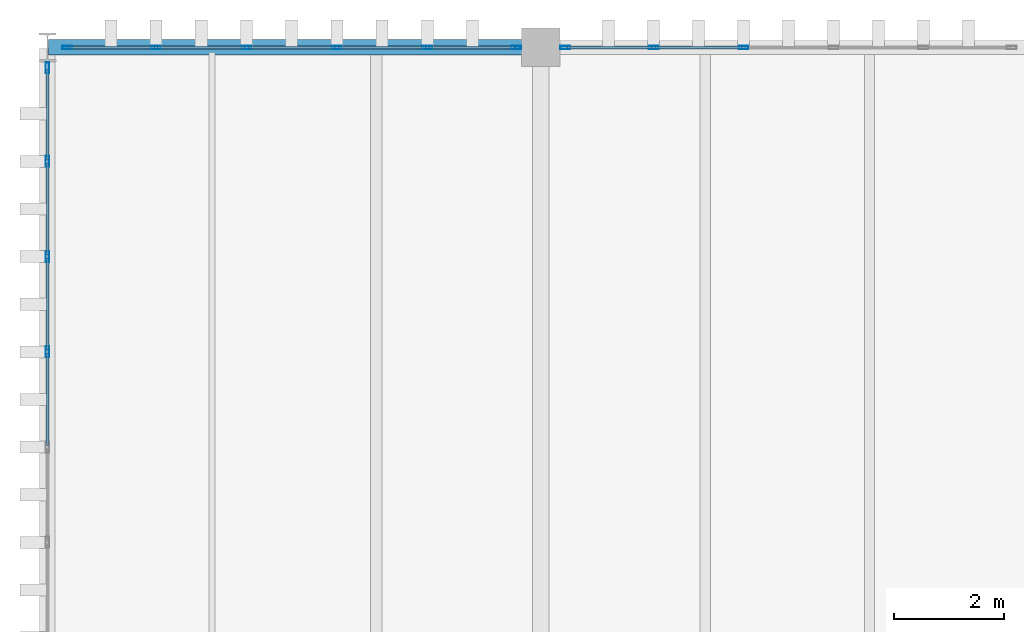
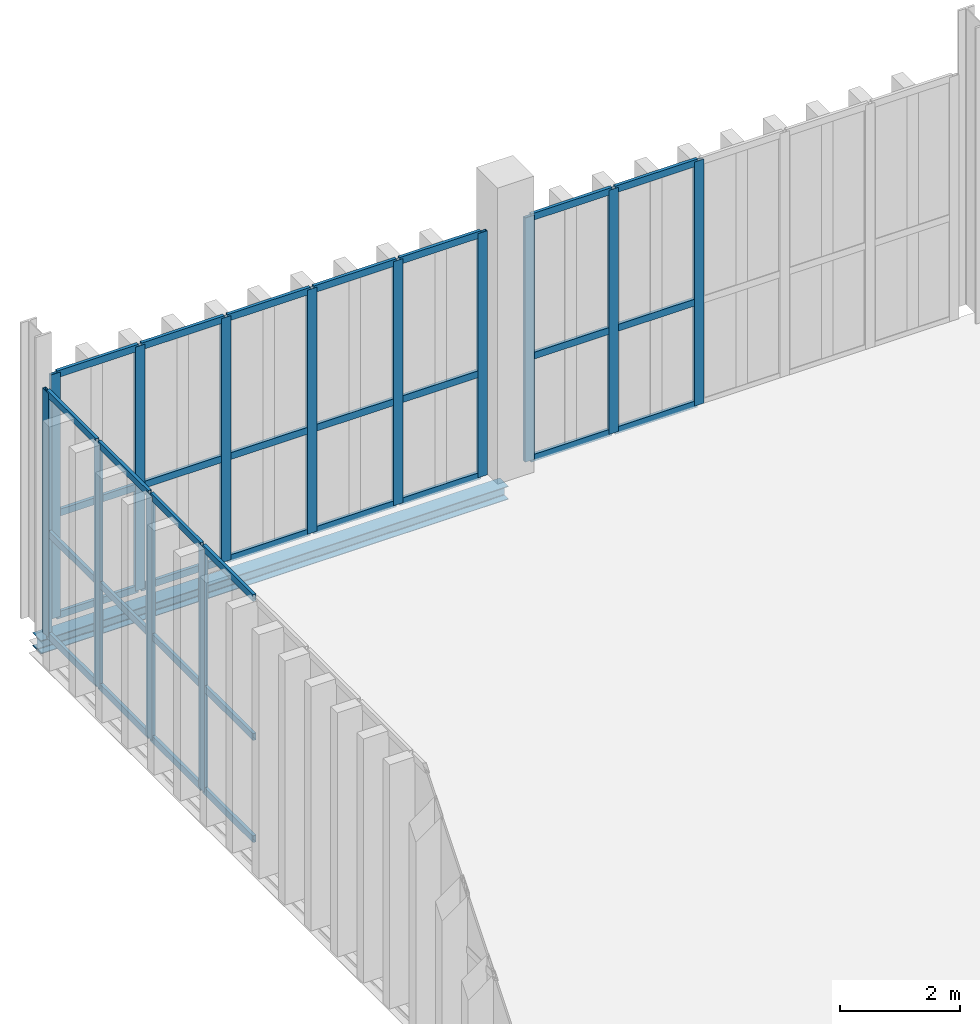
# One storey, part 136 of 211: 46 members, 1 beam, 3 elements without a shape of their own.
"""IFC4 building model written with IfcOpenShell, lengths in metres."""

from ifc_helpers import new_model, si_unit, direction, frame, origin, origin_2d, place, context, subcontext, project, spatial, hollow_rectangle, i_section, extrude, material, layer, layer_set, material_profile, profile_set, type_object, element, aggregate, save


model = new_model("IFC4")

# Units and contexts
model_context = context("Model", 3, precision=1e-05, world=origin(), true_north=direction((0.0, 1.0)))
body_context = subcontext(model_context, "Body", "Model", "MODEL_VIEW")
ifc_project = project(units=[si_unit("LENGTHUNIT", "METRE"), si_unit("AREAUNIT", "SQUARE_METRE"), si_unit("VOLUMEUNIT", "CUBIC_METRE"), si_unit("PLANEANGLEUNIT", "RADIAN"), si_unit("MASSUNIT", "GRAM", prefix="KILO")], contexts=[model_context])

# Site, building, storey
site_placement = place(None, origin())
site = spatial("IfcSite", under=ifc_project, at=site_placement, CompositionType="ELEMENT")
building_placement = place(site_placement, origin())
building = spatial("IfcBuilding", under=site, at=building_placement, Name="Barlavento Convention Centre", CompositionType="ELEMENT")
storey_placement = place(building_placement, frame((0.0, 0.0, 6.0)))
storey = spatial("IfcBuildingStorey", under=building, at=storey_placement, Name="L01", CompositionType="ELEMENT", Elevation=6.0)

# Curtain wall, members
ifc_material_1 = material(Name="Powder-coated aluminium and Low-E glass", Category="aluminium")
ifc_layer = layer(ifc_material_1, 0.179931640625)
ifc_layer_set = layer_set([ifc_layer], Name="ARC-CW-EXH-L01")
curtain_wall_type = type_object("IfcCurtainWallType", Name="ARC-CW-EXH-L01", PredefinedType="NOTDEFINED", material=ifc_layer_set)
curtain_wall_1_placement = place(storey_placement, origin())
curtain_wall_1 = element("IfcCurtainWall", 1, at=curtain_wall_1_placement, inside=storey, type_object=curtain_wall_type, Name="L01 unitised curtain wall CW04", PredefinedType="NOTDEFINED")
ifc_material_2 = material(Name="Powder-coated aluminium", Category="aluminium")
ifc_material_profile_1 = material_profile(ifc_material_2, hollow_rectangle(XDim=0.06005859375, YDim=0.179931640625, WallThickness=0.0048828125, at=origin_2d()), Name="AL-MULL 60x180x5")
ifc_profile_set_1 = profile_set([ifc_material_profile_1], Name="Powder-coated aluminium")
member_type_1 = type_object("IfcMemberType", Name="ARC-CWM-60X180", PredefinedType="MULLION", material=ifc_profile_set_1)
member_1_placement = place(storey_placement, frame((0.362060546875, 135.0, 0.0), z_axis=(0.0, 0.0, 1.0), x_axis=(0.0, 1.0, 0.0)))
member_1 = element("IfcMember", 2, at=member_1_placement, type_object=member_type_1, Name="CW04 mullion 1", PredefinedType="MULLION", context=body_context, shape_type="SweptSolid", body=[
    extrude(hollow_rectangle(XDim=0.06005859375, YDim=0.179931640625, WallThickness=0.0048828125, at=origin_2d()), origin(), (0.0, 0.0, 1.0), 4.949951171875),
])
member_2_placement = place(storey_placement, frame((1.981689453125, 135.0, 0.0), z_axis=(0.0, 0.0, 1.0), x_axis=(0.0, 1.0, 0.0)))
member_2 = element("IfcMember", 3, at=member_2_placement, type_object=member_type_1, Name="CW04 mullion 2", PredefinedType="MULLION", context=body_context, shape_type="SweptSolid", body=[
    extrude(hollow_rectangle(XDim=0.06005859375, YDim=0.179931640625, WallThickness=0.0048828125, at=origin_2d()), origin(), (0.0, 0.0, 1.0), 4.949951171875),
])
member_3_placement = place(storey_placement, frame((3.631103515625, 135.0, 0.0), z_axis=(0.0, 0.0, 1.0), x_axis=(0.0, 1.0, 0.0)))
member_3 = element("IfcMember", 4, at=member_3_placement, type_object=member_type_1, Name="CW04 mullion 3", PredefinedType="MULLION", context=body_context, shape_type="SweptSolid", body=[
    extrude(hollow_rectangle(XDim=0.06005859375, YDim=0.179931640625, WallThickness=0.0048828125, at=origin_2d()), origin(), (0.0, 0.0, 1.0), 4.949951171875),
])
member_4_placement = place(storey_placement, frame((5.28076171875, 135.0, 0.0), z_axis=(0.0, 0.0, 1.0), x_axis=(0.0, 1.0, 0.0)))
member_4 = element("IfcMember", 5, at=member_4_placement, type_object=member_type_1, Name="CW04 mullion 4", PredefinedType="MULLION", context=body_context, shape_type="SweptSolid", body=[
    extrude(hollow_rectangle(XDim=0.06005859375, YDim=0.179931640625, WallThickness=0.0048828125, at=origin_2d()), origin(), (0.0, 0.0, 1.0), 4.949951171875),
])
member_5_placement = place(storey_placement, frame((6.930419921875, 135.0, 0.0), z_axis=(0.0, 0.0, 1.0), x_axis=(0.0, 1.0, 0.0)))
member_5 = element("IfcMember", 6, at=member_5_placement, type_object=member_type_1, Name="CW04 mullion 5", PredefinedType="MULLION", context=body_context, shape_type="SweptSolid", body=[
    extrude(hollow_rectangle(XDim=0.06005859375, YDim=0.179931640625, WallThickness=0.0048828125, at=origin_2d()), origin(), (0.0, 0.0, 1.0), 4.949951171875),
])
member_6_placement = place(storey_placement, frame((8.550048828125, 135.0, 0.0), z_axis=(0.0, 0.0, 1.0), x_axis=(0.0, 1.0, 0.0)))
member_6 = element("IfcMember", 7, at=member_6_placement, type_object=member_type_1, Name="CW04 mullion 6", PredefinedType="MULLION", context=body_context, shape_type="SweptSolid", body=[
    extrude(hollow_rectangle(XDim=0.06005859375, YDim=0.179931640625, WallThickness=0.0048828125, at=origin_2d()), origin(), (0.0, 0.0, 1.0), 4.949951171875),
])

curtain_wall_2_placement = place(storey_placement, origin())
curtain_wall_2 = element("IfcCurtainWall", 8, at=curtain_wall_2_placement, inside=storey, type_object=curtain_wall_type, Name="L01 unitised curtain wall CW04", PredefinedType="NOTDEFINED")
member_7_placement = place(storey_placement, frame((9.449951171875, 135.0, 0.0), z_axis=(0.0, 0.0, 1.0), x_axis=(0.0, 1.0, 0.0)))
member_7 = element("IfcMember", 9, at=member_7_placement, type_object=member_type_1, Name="CW04 mullion 1", PredefinedType="MULLION", context=body_context, shape_type="SweptSolid", body=[
    extrude(hollow_rectangle(XDim=0.06005859375, YDim=0.179931640625, WallThickness=0.0048828125, at=origin_2d()), origin(), (0.0, 0.0, 1.0), 4.949951171875),
])
member_8_placement = place(storey_placement, frame((11.06005859375, 135.0, 0.0), z_axis=(0.0, 0.0, 1.0), x_axis=(0.0, 1.0, 0.0)))
member_8 = element("IfcMember", 10, at=member_8_placement, type_object=member_type_1, Name="CW04 mullion 2", PredefinedType="MULLION", context=body_context, shape_type="SweptSolid", body=[
    extrude(hollow_rectangle(XDim=0.06005859375, YDim=0.179931640625, WallThickness=0.0048828125, at=origin_2d()), origin(), (0.0, 0.0, 1.0), 4.949951171875),
])
member_9_placement = place(storey_placement, frame((12.699951171875, 135.0, 0.0), z_axis=(0.0, 0.0, 1.0), x_axis=(0.0, 1.0, 0.0)))
member_9 = element("IfcMember", 11, at=member_9_placement, type_object=member_type_1, Name="CW04 mullion 3", PredefinedType="MULLION", context=body_context, shape_type="SweptSolid", body=[
    extrude(hollow_rectangle(XDim=0.06005859375, YDim=0.179931640625, WallThickness=0.0048828125, at=origin_2d()), origin(), (0.0, 0.0, 1.0), 4.949951171875),
])

curtain_wall_3_placement = place(storey_placement, origin())
curtain_wall_3 = element("IfcCurtainWall", 12, at=curtain_wall_3_placement, inside=storey, type_object=curtain_wall_type, Name="L01 unitised curtain wall CW04", PredefinedType="NOTDEFINED")
ifc_material_profile_2 = material_profile(ifc_material_2, hollow_rectangle(XDim=0.06494140625, YDim=0.199951171875, WallThickness=0.0048828125, at=origin_2d()), Name="AL-MULL 65x200x5")
ifc_profile_set_2 = profile_set([ifc_material_profile_2], Name="Powder-coated aluminium")
member_type_2 = type_object("IfcMemberType", Name="ARC-CWM-65X200", PredefinedType="MULLION", material=ifc_profile_set_2)
member_10_placement = place(storey_placement, frame((0.0, 129.445556640625, 0.0), z_axis=(0.0, 0.0, 1.0), x_axis=(-1.0, 0.0, 0.0)))
member_10 = element("IfcMember", 13, at=member_10_placement, type_object=member_type_2, Name="CW04 mullion 8", PredefinedType="MULLION", context=body_context, shape_type="SweptSolid", body=[
    extrude(hollow_rectangle(XDim=0.06494140625, YDim=0.199951171875, WallThickness=0.0048828125, at=origin_2d()), origin(), (0.0, 0.0, 1.0), 4.949951171875),
])
member_11_placement = place(storey_placement, frame((0.0, 131.18310546875, 0.0), z_axis=(0.0, 0.0, 1.0), x_axis=(-1.0, 0.0, 0.0)))
member_11 = element("IfcMember", 14, at=member_11_placement, type_object=member_type_2, Name="CW04 mullion 9", PredefinedType="MULLION", context=body_context, shape_type="SweptSolid", body=[
    extrude(hollow_rectangle(XDim=0.06494140625, YDim=0.199951171875, WallThickness=0.0048828125, at=origin_2d()), origin(), (0.0, 0.0, 1.0), 4.949951171875),
])
member_12_placement = place(storey_placement, frame((0.0, 132.92041015625, 0.0), z_axis=(0.0, 0.0, 1.0), x_axis=(-1.0, 0.0, 0.0)))
member_12 = element("IfcMember", 15, at=member_12_placement, type_object=member_type_2, Name="CW04 mullion 10", PredefinedType="MULLION", context=body_context, shape_type="SweptSolid", body=[
    extrude(hollow_rectangle(XDim=0.06494140625, YDim=0.199951171875, WallThickness=0.0048828125, at=origin_2d()), origin(), (0.0, 0.0, 1.0), 4.949951171875),
])
member_13_placement = place(storey_placement, frame((0.0, 134.62548828125, 0.0), z_axis=(0.0, 0.0, 1.0), x_axis=(-1.0, 0.0, 0.0)))
member_13 = element("IfcMember", 16, at=member_13_placement, type_object=member_type_2, Name="CW04 mullion 11", PredefinedType="MULLION", context=body_context, shape_type="SweptSolid", body=[
    extrude(hollow_rectangle(XDim=0.06494140625, YDim=0.199951171875, WallThickness=0.0048828125, at=origin_2d()), origin(), (0.0, 0.0, 1.0), 4.949951171875),
])
ifc_material_profile_3 = material_profile(ifc_material_2, hollow_rectangle(XDim=0.06005859375, YDim=0.139892578125, WallThickness=0.00390625, at=origin_2d()), Name="AL-TRAN 60x140x4")
ifc_profile_set_3 = profile_set([ifc_material_profile_3], Name="Powder-coated aluminium")
member_type_3 = type_object("IfcMemberType", Name="ARC-CWT-60X140", PredefinedType="USERDEFINED", material=ifc_profile_set_3)
member_14_placement = place(storey_placement, frame((0.0, 127.740478515625, 0.030029296875), z_axis=(0.0, 1.0, 0.0), x_axis=(-1.0, 0.0, 0.0)))
member_14 = element("IfcMember", 17, at=member_14_placement, type_object=member_type_3, Name="CW04 transom 7.1", ObjectType="TRANSOM", PredefinedType="USERDEFINED", context=body_context, shape_type="SweptSolid", body=[
    extrude(hollow_rectangle(XDim=0.06005859375, YDim=0.139892578125, WallThickness=0.00390625, at=origin_2d()), origin(), (0.0, 0.0, 1.0), 1.672607421875),
])
member_15_placement = place(storey_placement, frame((0.0, 127.740478515625, 2.10009765625), z_axis=(0.0, 1.0, 0.0), x_axis=(-1.0, 0.0, 0.0)))
member_15 = element("IfcMember", 18, at=member_15_placement, type_object=member_type_3, Name="CW04 transom 7.2", ObjectType="TRANSOM", PredefinedType="USERDEFINED", context=body_context, shape_type="SweptSolid", body=[
    extrude(hollow_rectangle(XDim=0.06005859375, YDim=0.139892578125, WallThickness=0.00390625, at=origin_2d()), origin(), (0.0, 0.0, 1.0), 1.672607421875),
])
member_16_placement = place(storey_placement, frame((0.0, 127.740478515625, 4.919921875), z_axis=(0.0, 1.0, 0.0), x_axis=(-1.0, 0.0, 0.0)))
member_16 = element("IfcMember", 19, at=member_16_placement, type_object=member_type_3, Name="CW04 transom 7.3", ObjectType="TRANSOM", PredefinedType="USERDEFINED", context=body_context, shape_type="SweptSolid", body=[
    extrude(hollow_rectangle(XDim=0.06005859375, YDim=0.139892578125, WallThickness=0.00390625, at=origin_2d()), origin(), (0.0, 0.0, 1.0), 1.672607421875),
])
member_17_placement = place(storey_placement, frame((0.0, 129.47802734375, 0.030029296875), z_axis=(0.0, 1.0, 0.0), x_axis=(-1.0, 0.0, 0.0)))
member_17 = element("IfcMember", 20, at=member_17_placement, type_object=member_type_3, Name="CW04 transom 8.1", ObjectType="TRANSOM", PredefinedType="USERDEFINED", context=body_context, shape_type="SweptSolid", body=[
    extrude(hollow_rectangle(XDim=0.06005859375, YDim=0.139892578125, WallThickness=0.00390625, at=origin_2d()), origin(), (0.0, 0.0, 1.0), 1.672607421875),
])
member_18_placement = place(storey_placement, frame((0.0, 129.47802734375, 2.10009765625), z_axis=(0.0, 1.0, 0.0), x_axis=(-1.0, 0.0, 0.0)))
member_18 = element("IfcMember", 21, at=member_18_placement, type_object=member_type_3, Name="CW04 transom 8.2", ObjectType="TRANSOM", PredefinedType="USERDEFINED", context=body_context, shape_type="SweptSolid", body=[
    extrude(hollow_rectangle(XDim=0.06005859375, YDim=0.139892578125, WallThickness=0.00390625, at=origin_2d()), origin(), (0.0, 0.0, 1.0), 1.672607421875),
])
member_19_placement = place(storey_placement, frame((0.0, 129.47802734375, 4.919921875), z_axis=(0.0, 1.0, 0.0), x_axis=(-1.0, 0.0, 0.0)))
member_19 = element("IfcMember", 22, at=member_19_placement, type_object=member_type_3, Name="CW04 transom 8.3", ObjectType="TRANSOM", PredefinedType="USERDEFINED", context=body_context, shape_type="SweptSolid", body=[
    extrude(hollow_rectangle(XDim=0.06005859375, YDim=0.139892578125, WallThickness=0.00390625, at=origin_2d()), origin(), (0.0, 0.0, 1.0), 1.672607421875),
])
member_20_placement = place(storey_placement, frame((0.0, 131.215576171875, 0.030029296875), z_axis=(0.0, 1.0, 0.0), x_axis=(-1.0, 0.0, 0.0)))
member_20 = element("IfcMember", 23, at=member_20_placement, type_object=member_type_3, Name="CW04 transom 9.1", ObjectType="TRANSOM", PredefinedType="USERDEFINED", context=body_context, shape_type="SweptSolid", body=[
    extrude(hollow_rectangle(XDim=0.06005859375, YDim=0.139892578125, WallThickness=0.00390625, at=origin_2d()), origin(), (0.0, 0.0, 1.0), 1.67236328125),
])
member_21_placement = place(storey_placement, frame((0.0, 131.215576171875, 2.10009765625), z_axis=(0.0, 1.0, 0.0), x_axis=(-1.0, 0.0, 0.0)))
member_21 = element("IfcMember", 24, at=member_21_placement, type_object=member_type_3, Name="CW04 transom 9.2", ObjectType="TRANSOM", PredefinedType="USERDEFINED", context=body_context, shape_type="SweptSolid", body=[
    extrude(hollow_rectangle(XDim=0.06005859375, YDim=0.139892578125, WallThickness=0.00390625, at=origin_2d()), origin(), (0.0, 0.0, 1.0), 1.67236328125),
])
member_22_placement = place(storey_placement, frame((0.0, 131.215576171875, 4.919921875), z_axis=(0.0, 1.0, 0.0), x_axis=(-1.0, 0.0, 0.0)))
member_22 = element("IfcMember", 25, at=member_22_placement, type_object=member_type_3, Name="CW04 transom 9.3", ObjectType="TRANSOM", PredefinedType="USERDEFINED", context=body_context, shape_type="SweptSolid", body=[
    extrude(hollow_rectangle(XDim=0.06005859375, YDim=0.139892578125, WallThickness=0.00390625, at=origin_2d()), origin(), (0.0, 0.0, 1.0), 1.67236328125),
])
member_23_placement = place(storey_placement, frame((0.0, 132.953125, 0.030029296875), z_axis=(0.0, 1.0, 0.0), x_axis=(-1.0, 0.0, 0.0)))
member_23 = element("IfcMember", 26, at=member_23_placement, type_object=member_type_3, Name="CW04 transom 10.1", ObjectType="TRANSOM", PredefinedType="USERDEFINED", context=body_context, shape_type="SweptSolid", body=[
    extrude(hollow_rectangle(XDim=0.06005859375, YDim=0.139892578125, WallThickness=0.00390625, at=origin_2d()), origin(), (0.0, 0.0, 1.0), 1.639892578125),
])
member_24_placement = place(storey_placement, frame((0.0, 132.953125, 2.10009765625), z_axis=(0.0, 1.0, 0.0), x_axis=(-1.0, 0.0, 0.0)))
member_24 = element("IfcMember", 27, at=member_24_placement, type_object=member_type_3, Name="CW04 transom 10.2", ObjectType="TRANSOM", PredefinedType="USERDEFINED", context=body_context, shape_type="SweptSolid", body=[
    extrude(hollow_rectangle(XDim=0.06005859375, YDim=0.139892578125, WallThickness=0.00390625, at=origin_2d()), origin(), (0.0, 0.0, 1.0), 1.639892578125),
])
member_25_placement = place(storey_placement, frame((0.0, 132.953125, 4.919921875), z_axis=(0.0, 1.0, 0.0), x_axis=(-1.0, 0.0, 0.0)))
member_25 = element("IfcMember", 28, at=member_25_placement, type_object=member_type_3, Name="CW04 transom 10.3", ObjectType="TRANSOM", PredefinedType="USERDEFINED", context=body_context, shape_type="SweptSolid", body=[
    extrude(hollow_rectangle(XDim=0.06005859375, YDim=0.139892578125, WallThickness=0.00390625, at=origin_2d()), origin(), (0.0, 0.0, 1.0), 1.639892578125),
])
aggregate(curtain_wall_3, [member_10, member_11, member_12, member_13, member_14, member_15, member_16, member_17, member_18, member_19, member_20, member_21, member_22, member_23, member_24, member_25])

# Member
member_26_placement = place(storey_placement, frame((0.39208984375, 135.0, 0.030029296875), z_axis=(1.0, 0.0, 0.0), x_axis=(0.0, 1.0, 0.0)))
member_26 = element("IfcMember", 29, at=member_26_placement, type_object=member_type_3, Name="CW04 transom 1.1", ObjectType="TRANSOM", PredefinedType="USERDEFINED", context=body_context, shape_type="SweptSolid", body=[
    extrude(hollow_rectangle(XDim=0.06005859375, YDim=0.139892578125, WallThickness=0.00390625, at=origin_2d()), origin(), (0.0, 0.0, 1.0), 1.5595703125),
])

member_27_placement = place(storey_placement, frame((0.39208984375, 135.0, 2.10009765625), z_axis=(1.0, 0.0, 0.0), x_axis=(0.0, 1.0, 0.0)))
member_27 = element("IfcMember", 30, at=member_27_placement, type_object=member_type_3, Name="CW04 transom 1.2", ObjectType="TRANSOM", PredefinedType="USERDEFINED", context=body_context, shape_type="SweptSolid", body=[
    extrude(hollow_rectangle(XDim=0.06005859375, YDim=0.139892578125, WallThickness=0.00390625, at=origin_2d()), origin(), (0.0, 0.0, 1.0), 1.5595703125),
])

member_28_placement = place(storey_placement, frame((0.39208984375, 135.0, 4.919921875), z_axis=(1.0, 0.0, 0.0), x_axis=(0.0, 1.0, 0.0)))
member_28 = element("IfcMember", 31, at=member_28_placement, type_object=member_type_3, Name="CW04 transom 1.3", ObjectType="TRANSOM", PredefinedType="USERDEFINED", context=body_context, shape_type="SweptSolid", body=[
    extrude(hollow_rectangle(XDim=0.06005859375, YDim=0.139892578125, WallThickness=0.00390625, at=origin_2d()), origin(), (0.0, 0.0, 1.0), 1.5595703125),
])

member_29_placement = place(storey_placement, frame((2.01171875, 135.0, 0.030029296875), z_axis=(1.0, 0.0, 0.0), x_axis=(0.0, 1.0, 0.0)))
member_29 = element("IfcMember", 32, at=member_29_placement, type_object=member_type_3, Name="CW04 transom 2.1", ObjectType="TRANSOM", PredefinedType="USERDEFINED", context=body_context, shape_type="SweptSolid", body=[
    extrude(hollow_rectangle(XDim=0.06005859375, YDim=0.139892578125, WallThickness=0.00390625, at=origin_2d()), origin(), (0.0, 0.0, 1.0), 1.589599609375),
])

member_30_placement = place(storey_placement, frame((2.01171875, 135.0, 2.10009765625), z_axis=(1.0, 0.0, 0.0), x_axis=(0.0, 1.0, 0.0)))
member_30 = element("IfcMember", 33, at=member_30_placement, type_object=member_type_3, Name="CW04 transom 2.2", ObjectType="TRANSOM", PredefinedType="USERDEFINED", context=body_context, shape_type="SweptSolid", body=[
    extrude(hollow_rectangle(XDim=0.06005859375, YDim=0.139892578125, WallThickness=0.00390625, at=origin_2d()), origin(), (0.0, 0.0, 1.0), 1.589599609375),
])

member_31_placement = place(storey_placement, frame((2.01171875, 135.0, 4.919921875), z_axis=(1.0, 0.0, 0.0), x_axis=(0.0, 1.0, 0.0)))
member_31 = element("IfcMember", 34, at=member_31_placement, type_object=member_type_3, Name="CW04 transom 2.3", ObjectType="TRANSOM", PredefinedType="USERDEFINED", context=body_context, shape_type="SweptSolid", body=[
    extrude(hollow_rectangle(XDim=0.06005859375, YDim=0.139892578125, WallThickness=0.00390625, at=origin_2d()), origin(), (0.0, 0.0, 1.0), 1.589599609375),
])

member_32_placement = place(storey_placement, frame((3.6611328125, 135.0, 0.030029296875), z_axis=(1.0, 0.0, 0.0), x_axis=(0.0, 1.0, 0.0)))
member_32 = element("IfcMember", 35, at=member_32_placement, type_object=member_type_3, Name="CW04 transom 3.1", ObjectType="TRANSOM", PredefinedType="USERDEFINED", context=body_context, shape_type="SweptSolid", body=[
    extrude(hollow_rectangle(XDim=0.06005859375, YDim=0.139892578125, WallThickness=0.00390625, at=origin_2d()), origin(), (0.0, 0.0, 1.0), 1.589599609375),
])

member_33_placement = place(storey_placement, frame((3.6611328125, 135.0, 2.10009765625), z_axis=(1.0, 0.0, 0.0), x_axis=(0.0, 1.0, 0.0)))
member_33 = element("IfcMember", 36, at=member_33_placement, type_object=member_type_3, Name="CW04 transom 3.2", ObjectType="TRANSOM", PredefinedType="USERDEFINED", context=body_context, shape_type="SweptSolid", body=[
    extrude(hollow_rectangle(XDim=0.06005859375, YDim=0.139892578125, WallThickness=0.00390625, at=origin_2d()), origin(), (0.0, 0.0, 1.0), 1.589599609375),
])

member_34_placement = place(storey_placement, frame((3.6611328125, 135.0, 4.919921875), z_axis=(1.0, 0.0, 0.0), x_axis=(0.0, 1.0, 0.0)))
member_34 = element("IfcMember", 37, at=member_34_placement, type_object=member_type_3, Name="CW04 transom 3.3", ObjectType="TRANSOM", PredefinedType="USERDEFINED", context=body_context, shape_type="SweptSolid", body=[
    extrude(hollow_rectangle(XDim=0.06005859375, YDim=0.139892578125, WallThickness=0.00390625, at=origin_2d()), origin(), (0.0, 0.0, 1.0), 1.589599609375),
])

member_35_placement = place(storey_placement, frame((5.310791015625, 135.0, 0.030029296875), z_axis=(1.0, 0.0, 0.0), x_axis=(0.0, 1.0, 0.0)))
member_35 = element("IfcMember", 38, at=member_35_placement, type_object=member_type_3, Name="CW04 transom 4.1", ObjectType="TRANSOM", PredefinedType="USERDEFINED", context=body_context, shape_type="SweptSolid", body=[
    extrude(hollow_rectangle(XDim=0.06005859375, YDim=0.139892578125, WallThickness=0.00390625, at=origin_2d()), origin(), (0.0, 0.0, 1.0), 1.589599609375),
])

member_36_placement = place(storey_placement, frame((5.310791015625, 135.0, 2.10009765625), z_axis=(1.0, 0.0, 0.0), x_axis=(0.0, 1.0, 0.0)))
member_36 = element("IfcMember", 39, at=member_36_placement, type_object=member_type_3, Name="CW04 transom 4.2", ObjectType="TRANSOM", PredefinedType="USERDEFINED", context=body_context, shape_type="SweptSolid", body=[
    extrude(hollow_rectangle(XDim=0.06005859375, YDim=0.139892578125, WallThickness=0.00390625, at=origin_2d()), origin(), (0.0, 0.0, 1.0), 1.589599609375),
])

member_37_placement = place(storey_placement, frame((5.310791015625, 135.0, 4.919921875), z_axis=(1.0, 0.0, 0.0), x_axis=(0.0, 1.0, 0.0)))
member_37 = element("IfcMember", 40, at=member_37_placement, type_object=member_type_3, Name="CW04 transom 4.3", ObjectType="TRANSOM", PredefinedType="USERDEFINED", context=body_context, shape_type="SweptSolid", body=[
    extrude(hollow_rectangle(XDim=0.06005859375, YDim=0.139892578125, WallThickness=0.00390625, at=origin_2d()), origin(), (0.0, 0.0, 1.0), 1.589599609375),
])

member_38_placement = place(storey_placement, frame((6.96044921875, 135.0, 0.030029296875), z_axis=(1.0, 0.0, 0.0), x_axis=(0.0, 1.0, 0.0)))
member_38 = element("IfcMember", 41, at=member_38_placement, type_object=member_type_3, Name="CW04 transom 5.1", ObjectType="TRANSOM", PredefinedType="USERDEFINED", context=body_context, shape_type="SweptSolid", body=[
    extrude(hollow_rectangle(XDim=0.06005859375, YDim=0.139892578125, WallThickness=0.00390625, at=origin_2d()), origin(), (0.0, 0.0, 1.0), 1.5595703125),
])

member_39_placement = place(storey_placement, frame((6.96044921875, 135.0, 2.10009765625), z_axis=(1.0, 0.0, 0.0), x_axis=(0.0, 1.0, 0.0)))
member_39 = element("IfcMember", 42, at=member_39_placement, type_object=member_type_3, Name="CW04 transom 5.2", ObjectType="TRANSOM", PredefinedType="USERDEFINED", context=body_context, shape_type="SweptSolid", body=[
    extrude(hollow_rectangle(XDim=0.06005859375, YDim=0.139892578125, WallThickness=0.00390625, at=origin_2d()), origin(), (0.0, 0.0, 1.0), 1.5595703125),
])

member_40_placement = place(storey_placement, frame((6.96044921875, 135.0, 4.919921875), z_axis=(1.0, 0.0, 0.0), x_axis=(0.0, 1.0, 0.0)))
member_40 = element("IfcMember", 43, at=member_40_placement, type_object=member_type_3, Name="CW04 transom 5.3", ObjectType="TRANSOM", PredefinedType="USERDEFINED", context=body_context, shape_type="SweptSolid", body=[
    extrude(hollow_rectangle(XDim=0.06005859375, YDim=0.139892578125, WallThickness=0.00390625, at=origin_2d()), origin(), (0.0, 0.0, 1.0), 1.5595703125),
])

aggregate(curtain_wall_1, [member_1, member_2, member_3, member_4, member_5, member_6, member_26, member_27, member_28, member_29, member_30, member_31, member_32, member_33, member_34, member_35, member_36, member_37, member_38, member_39, member_40])

member_41_placement = place(storey_placement, frame((9.47998046875, 135.0, 0.030029296875), z_axis=(1.0, 0.0, 0.0), x_axis=(0.0, 1.0, 0.0)))
member_41 = element("IfcMember", 44, at=member_41_placement, type_object=member_type_3, Name="CW04 transom 1.1", ObjectType="TRANSOM", PredefinedType="USERDEFINED", context=body_context, shape_type="SweptSolid", body=[
    extrude(hollow_rectangle(XDim=0.06005859375, YDim=0.139892578125, WallThickness=0.00390625, at=origin_2d()), origin(), (0.0, 0.0, 1.0), 1.550048828125),
])

member_42_placement = place(storey_placement, frame((9.47998046875, 135.0, 2.10009765625), z_axis=(1.0, 0.0, 0.0), x_axis=(0.0, 1.0, 0.0)))
member_42 = element("IfcMember", 45, at=member_42_placement, type_object=member_type_3, Name="CW04 transom 1.2", ObjectType="TRANSOM", PredefinedType="USERDEFINED", context=body_context, shape_type="SweptSolid", body=[
    extrude(hollow_rectangle(XDim=0.06005859375, YDim=0.139892578125, WallThickness=0.00390625, at=origin_2d()), origin(), (0.0, 0.0, 1.0), 1.550048828125),
])

member_43_placement = place(storey_placement, frame((9.47998046875, 135.0, 4.919921875), z_axis=(1.0, 0.0, 0.0), x_axis=(0.0, 1.0, 0.0)))
member_43 = element("IfcMember", 46, at=member_43_placement, type_object=member_type_3, Name="CW04 transom 1.3", ObjectType="TRANSOM", PredefinedType="USERDEFINED", context=body_context, shape_type="SweptSolid", body=[
    extrude(hollow_rectangle(XDim=0.06005859375, YDim=0.139892578125, WallThickness=0.00390625, at=origin_2d()), origin(), (0.0, 0.0, 1.0), 1.550048828125),
])

member_44_placement = place(storey_placement, frame((11.090087890625, 135.0, 0.030029296875), z_axis=(1.0, 0.0, 0.0), x_axis=(0.0, 1.0, 0.0)))
member_44 = element("IfcMember", 47, at=member_44_placement, type_object=member_type_3, Name="CW04 transom 2.1", ObjectType="TRANSOM", PredefinedType="USERDEFINED", context=body_context, shape_type="SweptSolid", body=[
    extrude(hollow_rectangle(XDim=0.06005859375, YDim=0.139892578125, WallThickness=0.00390625, at=origin_2d()), origin(), (0.0, 0.0, 1.0), 1.579833984375),
])

member_45_placement = place(storey_placement, frame((11.090087890625, 135.0, 2.10009765625), z_axis=(1.0, 0.0, 0.0), x_axis=(0.0, 1.0, 0.0)))
member_45 = element("IfcMember", 48, at=member_45_placement, type_object=member_type_3, Name="CW04 transom 2.2", ObjectType="TRANSOM", PredefinedType="USERDEFINED", context=body_context, shape_type="SweptSolid", body=[
    extrude(hollow_rectangle(XDim=0.06005859375, YDim=0.139892578125, WallThickness=0.00390625, at=origin_2d()), origin(), (0.0, 0.0, 1.0), 1.579833984375),
])

member_46_placement = place(storey_placement, frame((11.090087890625, 135.0, 4.919921875), z_axis=(1.0, 0.0, 0.0), x_axis=(0.0, 1.0, 0.0)))
member_46 = element("IfcMember", 49, at=member_46_placement, type_object=member_type_3, Name="CW04 transom 2.3", ObjectType="TRANSOM", PredefinedType="USERDEFINED", context=body_context, shape_type="SweptSolid", body=[
    extrude(hollow_rectangle(XDim=0.06005859375, YDim=0.139892578125, WallThickness=0.00390625, at=origin_2d()), origin(), (0.0, 0.0, 1.0), 1.579833984375),
])

aggregate(curtain_wall_2, [member_7, member_8, member_9, member_41, member_42, member_43, member_44, member_45, member_46])

# Beam
ifc_material_3 = material(Name="Steel S355", Category="steel")
ifc_material_profile_4 = material_profile(ifc_material_3, i_section(OverallWidth=0.280029296875, OverallDepth=0.27001953125, WebThickness=0.008056640625, FlangeThickness=0.012939453125, FilletRadius=0.02392578125, at=origin_2d()), Name="HEA 280")
ifc_profile_set_4 = profile_set([ifc_material_profile_4], Name="Steel S355")
beam_type = type_object("IfcBeamType", Name="STR-BM-SPN-HEA280", PredefinedType="SPANDREL", material=ifc_profile_set_4)
beam_placement = place(storey_placement, frame((0.02001953125, 135.0, -0.4150390625), z_axis=(1.0, 0.0, 0.0), x_axis=(0.0, 1.0, 0.0)))
element("IfcBeam", 50, at=beam_placement, inside=storey, type_object=beam_type, Name="L01 primary girder SP03", PredefinedType="SPANDREL", context=body_context, shape_type="SweptSolid", body=[
    extrude(i_section(OverallWidth=0.280029296875, OverallDepth=0.27001953125, WebThickness=0.008056640625, FlangeThickness=0.012939453125, FilletRadius=0.02392578125, at=origin_2d()), origin(), (0.0, 0.0, 1.0), 8.9599609375),
])

save(model, "model.ifc")
